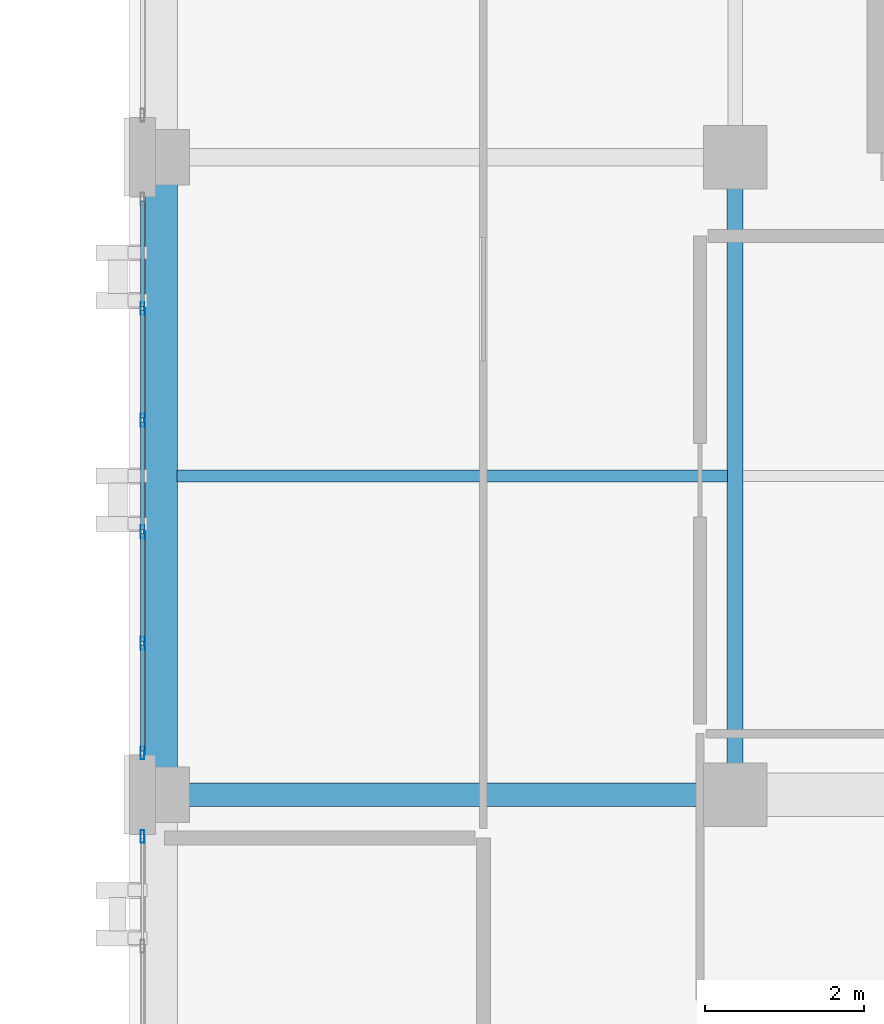
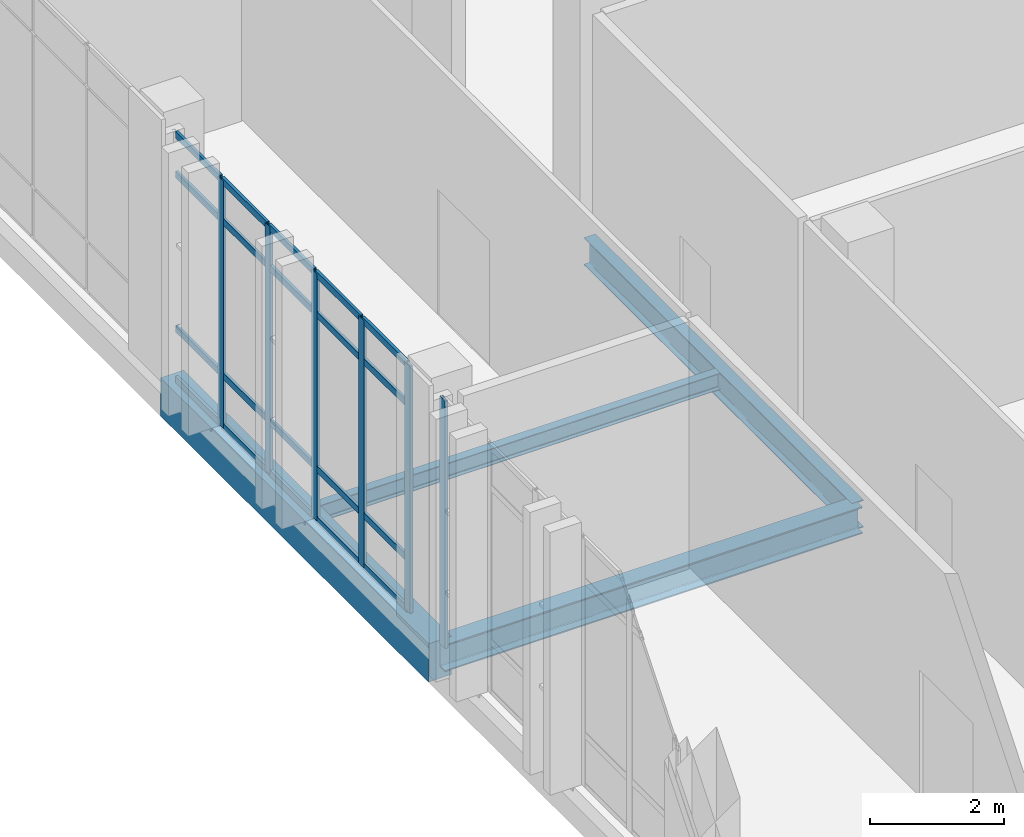
# One storey, part 61 of 189: 26 members, 4 beams, 2 elements without a shape of their own.
"""IFC4 building model written with IfcOpenShell, lengths in metres."""

import ifcopenshell
import ifcopenshell.guid

model = None  # the IFC model being written
_history = None  # IfcOwnerHistory: only IFC2X3 demands one
_inside = {}  # id of a spatial element -> (the spatial element, [elements in it])
_under = {}  # id of a project, library or spatial element -> (it, [spatial elements below it])
_declared = {}  # id of a project -> (the project, [libraries it declares])
_typed = {}  # id of a type object -> (the type object, [elements of that type])
_made_of = {}  # id of a material, layer set ... -> (it, [elements and type objects made of it])


def new_model(schema):
    """Start an empty IFC model of exactly this schema.

    Asked for "IFC4X3", IfcOpenShell would pick the latest addendum, in which some entities
    have other attributes; the version numbers below select the first issue.
    IFC2X3 requires an IfcOwnerHistory on every rooted entity: one is made here for all.
    """
    global model, _history
    if schema == "IFC4X3":
        model = ifcopenshell.file(schema_version=(4, 3, 0, 0))
    else:
        model = ifcopenshell.file(schema=schema)
    _inside.clear()
    _under.clear()
    _declared.clear()
    _typed.clear()
    _made_of.clear()
    _history = None
    if model.schema == "IFC2X3":
        org = make("IfcOrganization", Name="unknown")
        user = make(
            "IfcPersonAndOrganization",
            ThePerson=make("IfcPerson", FamilyName="unknown"),
            TheOrganization=org,
        )
        app = make(
            "IfcApplication",
            ApplicationDeveloper=org,
            Version="unknown",
            ApplicationFullName="unknown",
            ApplicationIdentifier="unknown",
        )
        _history = make(
            "IfcOwnerHistory",
            OwningUser=user,
            OwningApplication=app,
            ChangeAction="ADDED",
            CreationDate=0,
        )
    return model


def make(cls, **values):
    """One entity of the class cls with the attributes given. An attribute that is None is left unset."""
    return model.create_entity(
        cls, **{name: value for name, value in values.items() if value is not None}
    )


def rooted(cls, **values):
    """An entity with a GlobalId (a new one), such as an element, a storey or a relation."""
    return make(cls, GlobalId=ifcopenshell.guid.new(), OwnerHistory=_history, **values)


def si_unit(unit_type, name, prefix=None):
    """IfcSIUnit, for example si_unit("LENGTHUNIT", "METRE", prefix="MILLI")."""
    return make("IfcSIUnit", UnitType=unit_type, Prefix=prefix, Name=name)


def assignment(units):
    """IfcUnitAssignment: the units of a project."""
    return None if units is None else make("IfcUnitAssignment", Units=units)


def point(xyz):
    """IfcCartesianPoint."""
    return None if xyz is None else make("IfcCartesianPoint", Coordinates=xyz)


def direction(xyz):
    """IfcDirection."""
    return None if xyz is None else make("IfcDirection", DirectionRatios=xyz)


def frame(location, z_axis=None, x_axis=None):
    """IfcAxis2Placement3D, a coordinate frame: its origin and axes. An axis left out is left unset."""
    return make(
        "IfcAxis2Placement3D",
        Location=point(location),
        Axis=direction(z_axis),
        RefDirection=direction(x_axis),
    )


def frame_2d(location, x_axis=None):
    """IfcAxis2Placement2D, a coordinate frame in the plane: its origin and x axis."""
    return make(
        "IfcAxis2Placement2D", Location=point(location), RefDirection=direction(x_axis)
    )


def origin():
    """The frame at (0, 0, 0) with its axes left unset."""
    return frame((0.0, 0.0, 0.0))


def origin_2d():
    """The frame at (0, 0) in the plane with its x axis left unset."""
    return frame_2d((0.0, 0.0))


def place(relative_to, where):
    """IfcLocalPlacement: puts the frame where relative to a parent placement (None: the world)."""
    return make(
        "IfcLocalPlacement", PlacementRelTo=relative_to, RelativePlacement=where
    )


def context(
    kind, dimensions, precision=None, world=None, true_north=None, identifier=None
):
    """IfcGeometricRepresentationContext, for example the 3D "Model" context."""
    return make(
        "IfcGeometricRepresentationContext",
        ContextIdentifier=identifier,
        ContextType=kind,
        CoordinateSpaceDimension=dimensions,
        Precision=precision,
        WorldCoordinateSystem=world,
        TrueNorth=true_north,
    )


def subcontext(parent, identifier, kind, view, scale=None):
    """IfcGeometricRepresentationSubContext, for example "Body" below "Model"."""
    return make(
        "IfcGeometricRepresentationSubContext",
        ContextIdentifier=identifier,
        ContextType=kind,
        ParentContext=parent,
        TargetScale=scale,
        TargetView=view,
    )


def project(units=None, contexts=None):
    """IfcProject with its units and contexts."""
    return rooted(
        "IfcProject",
        Name="project",
        RepresentationContexts=contexts,
        UnitsInContext=assignment(units),
    )


def spatial(cls, under=None, at=None, **own):
    """A site, building, storey or space (cls), placed at a placement, below another one or the project."""
    s = rooted(cls, ObjectPlacement=at, **own)
    if under is not None:
        _under.setdefault(under.id(), (under, []))[1].append(s)
    return s


def profile(cls, at=None, kind="AREA", **sizes):
    """A parametric profile (cls). Its sizes go by their IFC names, for example OverallWidth=200.0."""
    return make(cls, ProfileType=kind, Position=at, **sizes)


def rectangle(**sizes):
    """IfcRectangleProfileDef."""
    return profile("IfcRectangleProfileDef", **sizes)


def hollow_rectangle(**sizes):
    """IfcRectangleHollowProfileDef."""
    return profile("IfcRectangleHollowProfileDef", **sizes)


def i_section(**sizes):
    """IfcIShapeProfileDef."""
    return profile("IfcIShapeProfileDef", **sizes)


def extrude(swept, where, along, depth):
    """IfcExtrudedAreaSolid: the profile swept, set in the frame where, extruded along a direction by depth."""
    return make(
        "IfcExtrudedAreaSolid",
        SweptArea=swept,
        Position=where,
        ExtrudedDirection=direction(along),
        Depth=depth,
    )


def shape(context_of_items, identifier, shape_type, items):
    """IfcShapeRepresentation: the items that make up one representation, for example the "Body"."""
    return make(
        "IfcShapeRepresentation",
        ContextOfItems=context_of_items,
        RepresentationIdentifier=identifier,
        RepresentationType=shape_type,
        Items=items,
    )


def material(Name=None, Category=None):
    """IfcMaterial."""
    return make("IfcMaterial", Name=Name, Category=Category)


def layer(
    of_material, thickness, ventilated=None, Name=None, Category=None, Priority=None
):
    """IfcMaterialLayer: one layer of a wall or slab, of a material (None: an air gap)."""
    return make(
        "IfcMaterialLayer",
        Material=of_material,
        LayerThickness=thickness,
        IsVentilated=ventilated,
        Name=Name,
        Category=Category,
        Priority=Priority,
    )


def layer_set(layers, Name=None):
    """IfcMaterialLayerSet."""
    return make("IfcMaterialLayerSet", MaterialLayers=layers, LayerSetName=Name)


def material_profile(
    of_material, cross_section, Name=None, Category=None, Priority=None
):
    """IfcMaterialProfile: a cross section and its material."""
    return make(
        "IfcMaterialProfile",
        Name=Name,
        Material=of_material,
        Profile=cross_section,
        Priority=Priority,
        Category=Category,
    )


def profile_set(profiles, Name=None, composite=None):
    """IfcMaterialProfileSet."""
    return make(
        "IfcMaterialProfileSet",
        Name=Name,
        MaterialProfiles=profiles,
        CompositeProfile=composite,
    )


def made_of(thing, what):
    """Note that an element or type object is made of a material, layer set ...; save() writes the relation."""
    if what is not None:
        _made_of.setdefault(what.id(), (what, []))[1].append(thing)
    return thing


def type_object(cls, material=None, **own):
    """A type object (cls), such as IfcWallType, which elements share."""
    return made_of(rooted(cls, **own), material)


def element(
    cls,
    number,
    at=None,
    inside=None,
    cuts=None,
    type_object=None,
    material=None,
    context=None,
    identifier="Body",
    shape_type=None,
    held_by="IfcProductDefinitionShape",
    body=None,
    shapes=None,
    **own,
):
    """One element of the class cls, such as IfcWall. Its Tag is "e" and its number.

    at: its placement. inside: the storey or other place that contains it. cuts: it is an
    opening in that element (IfcRelVoidsElement). A single representation is given by context,
    identifier, shape_type and body (its items); several are given by shapes. held_by: the class
    of the entity that holds the representations. save() writes the other relations.
    """
    e = rooted(cls, Tag="e%d" % number, ObjectPlacement=at, **own)
    if body is not None:
        shapes = [shape(context, identifier, shape_type, body)]
    if shapes is not None:
        e.Representation = make(held_by, Representations=shapes)
    if inside is not None:
        _inside.setdefault(inside.id(), (inside, []))[1].append(e)
    if cuts is not None:
        rooted(
            "IfcRelVoidsElement", RelatingBuildingElement=cuts, RelatedOpeningElement=e
        )
    if type_object is not None:
        _typed.setdefault(type_object.id(), (type_object, []))[1].append(e)
    return made_of(e, material)


def aggregate(whole, parts):
    """IfcRelAggregates: a whole, such as a stair, and the parts it consists of."""
    return rooted("IfcRelAggregates", RelatingObject=whole, RelatedObjects=parts)


def save(model, path):
    """Write the relations noted so far, then the file.

    IfcRelAggregates (storeys below a building ...), IfcRelContainedInSpatialStructure (elements
    in a storey), IfcRelDefinesByType, IfcRelAssociatesMaterial and IfcRelDeclares: one each for
    every whole, place, type object, material and project.
    """
    for whole, parts in _under.values():
        aggregate(whole, parts)
    for where, things in _inside.values():
        rooted(
            "IfcRelContainedInSpatialStructure",
            RelatedElements=things,
            RelatingStructure=where,
        )
    for kind, things in _typed.values():
        rooted("IfcRelDefinesByType", RelatedObjects=things, RelatingType=kind)
    for what, things in _made_of.values():
        rooted("IfcRelAssociatesMaterial", RelatedObjects=things, RelatingMaterial=what)
    for by, libraries in _declared.values():
        rooted("IfcRelDeclares", RelatingContext=by, RelatedDefinitions=libraries)
    model.write(path)


model = new_model("IFC4")

# Units and contexts
model_context = context("Model", 3, precision=1e-05, world=origin(), true_north=direction((0.0, 1.0)))
body_context = subcontext(model_context, "Body", "Model", "MODEL_VIEW")
ifc_project = project(units=[si_unit("LENGTHUNIT", "METRE"), si_unit("AREAUNIT", "SQUARE_METRE"), si_unit("VOLUMEUNIT", "CUBIC_METRE"), si_unit("PLANEANGLEUNIT", "RADIAN"), si_unit("MASSUNIT", "GRAM", prefix="KILO")], contexts=[model_context])

# Site, building, storey
site_placement = place(None, origin())
site = spatial("IfcSite", under=ifc_project, at=site_placement, CompositionType="ELEMENT")
building_placement = place(site_placement, origin())
building = spatial("IfcBuilding", under=site, at=building_placement, Name="Qalavern Law Courts", CompositionType="ELEMENT")
storey_placement = place(building_placement, frame((0.0, 0.0, 5.39990234375)))
storey = spatial("IfcBuildingStorey", under=building, at=storey_placement, Name="L01", CompositionType="ELEMENT", Elevation=5.39990234375)

# Curtain wall, members
ifc_material_1 = material(Name="Anodised aluminium and insulated glazing", Category="aluminium")
ifc_layer = layer(ifc_material_1, 0.172119140625)
ifc_layer_set = layer_set([ifc_layer], Name="Anodised aluminium and insulated glazing")
curtain_wall_type = type_object("IfcCurtainWallType", Name="ENV-CW-COURT", PredefinedType="USERDEFINED", material=ifc_layer_set)
curtain_wall_1_placement = place(storey_placement, origin())
curtain_wall_1 = element("IfcCurtainWall", 1, at=curtain_wall_1_placement, inside=storey, type_object=curtain_wall_type, Name="V4 unitised curtain wall L01 west 4", ObjectType="UNITISED CURTAIN WALL", PredefinedType="USERDEFINED")
ifc_material_2 = material(Name="Anodised aluminium", Category="aluminium")
ifc_material_profile_1 = material_profile(ifc_material_2, hollow_rectangle(XDim=0.048095703125, YDim=0.159912109375, WallThickness=0.00390625, at=origin_2d()), Name="ALU MULLION 48x160")
ifc_profile_set_1 = profile_set([ifc_material_profile_1], Name="Anodised aluminium")
member_type_1 = type_object("IfcMemberType", Name="ENV-CWM-48x160", PredefinedType="MULLION", material=ifc_profile_set_1)
member_1_placement = place(storey_placement, frame((84.362548828125, 63.5, 0.0), z_axis=(0.0, 0.0, 1.0), x_axis=(1.0, 0.0, 0.0)))
member_1 = element("IfcMember", 2, at=member_1_placement, type_object=member_type_1, Name="CW-03 mullion 2", PredefinedType="MULLION", context=body_context, shape_type="SweptSolid", body=[
    extrude(hollow_rectangle(XDim=0.048095703125, YDim=0.159912109375, WallThickness=0.00390625, at=origin_2d()), origin(), (0.0, 0.0, 1.0), 4.510009765625),
])
member_2_placement = place(storey_placement, frame((84.362548828125, 62.10009765625, 0.0), z_axis=(0.0, 0.0, 1.0), x_axis=(1.0, 0.0, 0.0)))
member_2 = element("IfcMember", 3, at=member_2_placement, type_object=member_type_1, Name="CW-03 mullion 3", PredefinedType="MULLION", context=body_context, shape_type="SweptSolid", body=[
    extrude(hollow_rectangle(XDim=0.048095703125, YDim=0.159912109375, WallThickness=0.00390625, at=origin_2d()), origin(), (0.0, 0.0, 1.0), 4.510009765625),
])
member_3_placement = place(storey_placement, frame((84.362548828125, 60.699951171875, 0.0), z_axis=(0.0, 0.0, 1.0), x_axis=(1.0, 0.0, 0.0)))
member_3 = element("IfcMember", 4, at=member_3_placement, type_object=member_type_1, Name="CW-03 mullion 4", PredefinedType="MULLION", context=body_context, shape_type="SweptSolid", body=[
    extrude(hollow_rectangle(XDim=0.048095703125, YDim=0.159912109375, WallThickness=0.00390625, at=origin_2d()), origin(), (0.0, 0.0, 1.0), 4.510009765625),
])
member_4_placement = place(storey_placement, frame((84.362548828125, 59.300048828125, 0.0), z_axis=(0.0, 0.0, 1.0), x_axis=(1.0, 0.0, 0.0)))
member_4 = element("IfcMember", 5, at=member_4_placement, type_object=member_type_1, Name="CW-03 mullion 5", PredefinedType="MULLION", context=body_context, shape_type="SweptSolid", body=[
    extrude(hollow_rectangle(XDim=0.048095703125, YDim=0.159912109375, WallThickness=0.00390625, at=origin_2d()), origin(), (0.0, 0.0, 1.0), 4.510009765625),
])
member_5_placement = place(storey_placement, frame((84.362548828125, 57.924072265625, 0.0), z_axis=(0.0, 0.0, 1.0), x_axis=(1.0, 0.0, 0.0)))
member_5 = element("IfcMember", 6, at=member_5_placement, type_object=member_type_1, Name="CW-03 mullion 6", PredefinedType="MULLION", context=body_context, shape_type="SweptSolid", body=[
    extrude(hollow_rectangle(XDim=0.048095703125, YDim=0.159912109375, WallThickness=0.00390625, at=origin_2d()), origin(), (0.0, 0.0, 1.0), 4.510009765625),
])

# Curtain wall, member
curtain_wall_2_placement = place(storey_placement, origin())
curtain_wall_2 = element("IfcCurtainWall", 7, at=curtain_wall_2_placement, inside=storey, type_object=curtain_wall_type, Name="V4 unitised curtain wall L01 west 5", ObjectType="UNITISED CURTAIN WALL", PredefinedType="USERDEFINED")
member_6_placement = place(storey_placement, frame((84.362548828125, 56.8759765625, 0.0), z_axis=(0.0, 0.0, 1.0), x_axis=(1.0, 0.0, 0.0)))
member_6 = element("IfcMember", 8, at=member_6_placement, type_object=member_type_1, Name="CW-03 mullion 1", PredefinedType="MULLION", context=body_context, shape_type="SweptSolid", body=[
    extrude(hollow_rectangle(XDim=0.048095703125, YDim=0.159912109375, WallThickness=0.00390625, at=origin_2d()), origin(), (0.0, 0.0, 1.0), 4.510009765625),
])
aggregate(curtain_wall_2, [member_6])

# Member
ifc_material_profile_2 = material_profile(ifc_material_2, hollow_rectangle(XDim=0.048095703125, YDim=0.1201171875, WallThickness=0.00390625, at=origin_2d()), Name="ALU TRANSOM 48x120")
ifc_profile_set_2 = profile_set([ifc_material_profile_2], Name="Anodised aluminium")
member_type_2 = type_object("IfcMemberType", Name="ENV-CWT-48x120", PredefinedType="USERDEFINED", material=ifc_profile_set_2)
member_7_placement = place(storey_placement, frame((84.362548828125, 64.85205078125, 0.024169921875), z_axis=(0.0, -1.0, 0.0), x_axis=(1.0, 0.0, 0.0)))
member_7 = element("IfcMember", 9, at=member_7_placement, type_object=member_type_2, Name="CW-03 transom 1.1", ObjectType="TRANSOM", PredefinedType="USERDEFINED", context=body_context, shape_type="SweptSolid", body=[
    extrude(hollow_rectangle(XDim=0.048095703125, YDim=0.1201171875, WallThickness=0.00390625, at=origin_2d()), origin(), (0.0, 0.0, 1.0), 1.328125),
])

member_8_placement = place(storey_placement, frame((84.362548828125, 64.85205078125, 0.9501953125), z_axis=(0.0, -1.0, 0.0), x_axis=(1.0, 0.0, 0.0)))
member_8 = element("IfcMember", 10, at=member_8_placement, type_object=member_type_2, Name="CW-03 transom 1.2", ObjectType="TRANSOM", PredefinedType="USERDEFINED", context=body_context, shape_type="SweptSolid", body=[
    extrude(hollow_rectangle(XDim=0.048095703125, YDim=0.1201171875, WallThickness=0.00390625, at=origin_2d()), origin(), (0.0, 0.0, 1.0), 1.328125),
])

member_9_placement = place(storey_placement, frame((84.362548828125, 64.85205078125, 3.760009765625), z_axis=(0.0, -1.0, 0.0), x_axis=(1.0, 0.0, 0.0)))
member_9 = element("IfcMember", 11, at=member_9_placement, type_object=member_type_2, Name="CW-03 transom 1.3", ObjectType="TRANSOM", PredefinedType="USERDEFINED", context=body_context, shape_type="SweptSolid", body=[
    extrude(hollow_rectangle(XDim=0.048095703125, YDim=0.1201171875, WallThickness=0.00390625, at=origin_2d()), origin(), (0.0, 0.0, 1.0), 1.328125),
])

member_10_placement = place(storey_placement, frame((84.362548828125, 64.85205078125, 4.486083984375), z_axis=(0.0, -1.0, 0.0), x_axis=(1.0, 0.0, 0.0)))
member_10 = element("IfcMember", 12, at=member_10_placement, type_object=member_type_2, Name="CW-03 transom 1.4", ObjectType="TRANSOM", PredefinedType="USERDEFINED", context=body_context, shape_type="SweptSolid", body=[
    extrude(hollow_rectangle(XDim=0.048095703125, YDim=0.1201171875, WallThickness=0.00390625, at=origin_2d()), origin(), (0.0, 0.0, 1.0), 1.328125),
])

member_11_placement = place(storey_placement, frame((84.362548828125, 63.47607421875, 0.024169921875), z_axis=(0.0, -1.0, 0.0), x_axis=(1.0, 0.0, 0.0)))
member_11 = element("IfcMember", 13, at=member_11_placement, type_object=member_type_2, Name="CW-03 transom 2.1", ObjectType="TRANSOM", PredefinedType="USERDEFINED", context=body_context, shape_type="SweptSolid", body=[
    extrude(hollow_rectangle(XDim=0.048095703125, YDim=0.1201171875, WallThickness=0.00390625, at=origin_2d()), origin(), (0.0, 0.0, 1.0), 1.35205078125),
])

member_12_placement = place(storey_placement, frame((84.362548828125, 63.47607421875, 0.9501953125), z_axis=(0.0, -1.0, 0.0), x_axis=(1.0, 0.0, 0.0)))
member_12 = element("IfcMember", 14, at=member_12_placement, type_object=member_type_2, Name="CW-03 transom 2.2", ObjectType="TRANSOM", PredefinedType="USERDEFINED", context=body_context, shape_type="SweptSolid", body=[
    extrude(hollow_rectangle(XDim=0.048095703125, YDim=0.1201171875, WallThickness=0.00390625, at=origin_2d()), origin(), (0.0, 0.0, 1.0), 1.35205078125),
])

member_13_placement = place(storey_placement, frame((84.362548828125, 63.47607421875, 3.760009765625), z_axis=(0.0, -1.0, 0.0), x_axis=(1.0, 0.0, 0.0)))
member_13 = element("IfcMember", 15, at=member_13_placement, type_object=member_type_2, Name="CW-03 transom 2.3", ObjectType="TRANSOM", PredefinedType="USERDEFINED", context=body_context, shape_type="SweptSolid", body=[
    extrude(hollow_rectangle(XDim=0.048095703125, YDim=0.1201171875, WallThickness=0.00390625, at=origin_2d()), origin(), (0.0, 0.0, 1.0), 1.35205078125),
])

member_14_placement = place(storey_placement, frame((84.362548828125, 63.47607421875, 4.486083984375), z_axis=(0.0, -1.0, 0.0), x_axis=(1.0, 0.0, 0.0)))
member_14 = element("IfcMember", 16, at=member_14_placement, type_object=member_type_2, Name="CW-03 transom 2.4", ObjectType="TRANSOM", PredefinedType="USERDEFINED", context=body_context, shape_type="SweptSolid", body=[
    extrude(hollow_rectangle(XDim=0.048095703125, YDim=0.1201171875, WallThickness=0.00390625, at=origin_2d()), origin(), (0.0, 0.0, 1.0), 1.35205078125),
])

member_15_placement = place(storey_placement, frame((84.362548828125, 62.075927734375, 0.024169921875), z_axis=(0.0, -1.0, 0.0), x_axis=(1.0, 0.0, 0.0)))
member_15 = element("IfcMember", 17, at=member_15_placement, type_object=member_type_2, Name="CW-03 transom 3.1", ObjectType="TRANSOM", PredefinedType="USERDEFINED", context=body_context, shape_type="SweptSolid", body=[
    extrude(hollow_rectangle(XDim=0.048095703125, YDim=0.1201171875, WallThickness=0.00390625, at=origin_2d()), origin(), (0.0, 0.0, 1.0), 1.351806640625),
])

member_16_placement = place(storey_placement, frame((84.362548828125, 62.075927734375, 0.9501953125), z_axis=(0.0, -1.0, 0.0), x_axis=(1.0, 0.0, 0.0)))
member_16 = element("IfcMember", 18, at=member_16_placement, type_object=member_type_2, Name="CW-03 transom 3.2", ObjectType="TRANSOM", PredefinedType="USERDEFINED", context=body_context, shape_type="SweptSolid", body=[
    extrude(hollow_rectangle(XDim=0.048095703125, YDim=0.1201171875, WallThickness=0.00390625, at=origin_2d()), origin(), (0.0, 0.0, 1.0), 1.351806640625),
])

member_17_placement = place(storey_placement, frame((84.362548828125, 62.075927734375, 3.760009765625), z_axis=(0.0, -1.0, 0.0), x_axis=(1.0, 0.0, 0.0)))
member_17 = element("IfcMember", 19, at=member_17_placement, type_object=member_type_2, Name="CW-03 transom 3.3", ObjectType="TRANSOM", PredefinedType="USERDEFINED", context=body_context, shape_type="SweptSolid", body=[
    extrude(hollow_rectangle(XDim=0.048095703125, YDim=0.1201171875, WallThickness=0.00390625, at=origin_2d()), origin(), (0.0, 0.0, 1.0), 1.351806640625),
])

member_18_placement = place(storey_placement, frame((84.362548828125, 62.075927734375, 4.486083984375), z_axis=(0.0, -1.0, 0.0), x_axis=(1.0, 0.0, 0.0)))
member_18 = element("IfcMember", 20, at=member_18_placement, type_object=member_type_2, Name="CW-03 transom 3.4", ObjectType="TRANSOM", PredefinedType="USERDEFINED", context=body_context, shape_type="SweptSolid", body=[
    extrude(hollow_rectangle(XDim=0.048095703125, YDim=0.1201171875, WallThickness=0.00390625, at=origin_2d()), origin(), (0.0, 0.0, 1.0), 1.351806640625),
])

member_19_placement = place(storey_placement, frame((84.362548828125, 60.676025390625, 0.024169921875), z_axis=(0.0, -1.0, 0.0), x_axis=(1.0, 0.0, 0.0)))
member_19 = element("IfcMember", 21, at=member_19_placement, type_object=member_type_2, Name="CW-03 transom 4.1", ObjectType="TRANSOM", PredefinedType="USERDEFINED", context=body_context, shape_type="SweptSolid", body=[
    extrude(hollow_rectangle(XDim=0.048095703125, YDim=0.1201171875, WallThickness=0.00390625, at=origin_2d()), origin(), (0.0, 0.0, 1.0), 1.35205078125),
])

member_20_placement = place(storey_placement, frame((84.362548828125, 60.676025390625, 0.9501953125), z_axis=(0.0, -1.0, 0.0), x_axis=(1.0, 0.0, 0.0)))
member_20 = element("IfcMember", 22, at=member_20_placement, type_object=member_type_2, Name="CW-03 transom 4.2", ObjectType="TRANSOM", PredefinedType="USERDEFINED", context=body_context, shape_type="SweptSolid", body=[
    extrude(hollow_rectangle(XDim=0.048095703125, YDim=0.1201171875, WallThickness=0.00390625, at=origin_2d()), origin(), (0.0, 0.0, 1.0), 1.35205078125),
])

member_21_placement = place(storey_placement, frame((84.362548828125, 60.676025390625, 3.760009765625), z_axis=(0.0, -1.0, 0.0), x_axis=(1.0, 0.0, 0.0)))
member_21 = element("IfcMember", 23, at=member_21_placement, type_object=member_type_2, Name="CW-03 transom 4.3", ObjectType="TRANSOM", PredefinedType="USERDEFINED", context=body_context, shape_type="SweptSolid", body=[
    extrude(hollow_rectangle(XDim=0.048095703125, YDim=0.1201171875, WallThickness=0.00390625, at=origin_2d()), origin(), (0.0, 0.0, 1.0), 1.35205078125),
])

member_22_placement = place(storey_placement, frame((84.362548828125, 60.676025390625, 4.486083984375), z_axis=(0.0, -1.0, 0.0), x_axis=(1.0, 0.0, 0.0)))
member_22 = element("IfcMember", 24, at=member_22_placement, type_object=member_type_2, Name="CW-03 transom 4.4", ObjectType="TRANSOM", PredefinedType="USERDEFINED", context=body_context, shape_type="SweptSolid", body=[
    extrude(hollow_rectangle(XDim=0.048095703125, YDim=0.1201171875, WallThickness=0.00390625, at=origin_2d()), origin(), (0.0, 0.0, 1.0), 1.35205078125),
])

member_23_placement = place(storey_placement, frame((84.362548828125, 59.27587890625, 0.024169921875), z_axis=(0.0, -1.0, 0.0), x_axis=(1.0, 0.0, 0.0)))
member_23 = element("IfcMember", 25, at=member_23_placement, type_object=member_type_2, Name="CW-03 transom 5.1", ObjectType="TRANSOM", PredefinedType="USERDEFINED", context=body_context, shape_type="SweptSolid", body=[
    extrude(hollow_rectangle(XDim=0.048095703125, YDim=0.1201171875, WallThickness=0.00390625, at=origin_2d()), origin(), (0.0, 0.0, 1.0), 1.327880859375),
])

member_24_placement = place(storey_placement, frame((84.362548828125, 59.27587890625, 0.9501953125), z_axis=(0.0, -1.0, 0.0), x_axis=(1.0, 0.0, 0.0)))
member_24 = element("IfcMember", 26, at=member_24_placement, type_object=member_type_2, Name="CW-03 transom 5.2", ObjectType="TRANSOM", PredefinedType="USERDEFINED", context=body_context, shape_type="SweptSolid", body=[
    extrude(hollow_rectangle(XDim=0.048095703125, YDim=0.1201171875, WallThickness=0.00390625, at=origin_2d()), origin(), (0.0, 0.0, 1.0), 1.327880859375),
])

member_25_placement = place(storey_placement, frame((84.362548828125, 59.27587890625, 3.760009765625), z_axis=(0.0, -1.0, 0.0), x_axis=(1.0, 0.0, 0.0)))
member_25 = element("IfcMember", 27, at=member_25_placement, type_object=member_type_2, Name="CW-03 transom 5.3", ObjectType="TRANSOM", PredefinedType="USERDEFINED", context=body_context, shape_type="SweptSolid", body=[
    extrude(hollow_rectangle(XDim=0.048095703125, YDim=0.1201171875, WallThickness=0.00390625, at=origin_2d()), origin(), (0.0, 0.0, 1.0), 1.327880859375),
])

member_26_placement = place(storey_placement, frame((84.362548828125, 59.27587890625, 4.486083984375), z_axis=(0.0, -1.0, 0.0), x_axis=(1.0, 0.0, 0.0)))
member_26 = element("IfcMember", 28, at=member_26_placement, type_object=member_type_2, Name="CW-03 transom 5.4", ObjectType="TRANSOM", PredefinedType="USERDEFINED", context=body_context, shape_type="SweptSolid", body=[
    extrude(hollow_rectangle(XDim=0.048095703125, YDim=0.1201171875, WallThickness=0.00390625, at=origin_2d()), origin(), (0.0, 0.0, 1.0), 1.327880859375),
])

aggregate(curtain_wall_1, [member_1, member_2, member_3, member_4, member_5, member_7, member_8, member_9, member_10, member_11, member_12, member_13, member_14, member_15, member_16, member_17, member_18, member_19, member_20, member_21, member_22, member_23, member_24, member_25, member_26])

# Beams
ifc_material_3 = material(Name="Steel S355", Category="steel")
ifc_material_profile_3 = material_profile(ifc_material_3, i_section(OverallWidth=0.300048828125, OverallDepth=0.489990234375, WebThickness=0.011962890625, FlangeThickness=0.02294921875, FilletRadius=0.027099609375, at=origin_2d()), Name="HEA 500")
ifc_profile_set_3 = profile_set([ifc_material_profile_3], Name="Steel S355")
beam_type_1 = type_object("IfcBeamType", Name="STR-BM-HEA500", PredefinedType="BEAM", material=ifc_profile_set_3)
beam_1_placement = place(storey_placement, frame((84.60009765625, 57.39990234375, -0.544921875), z_axis=(1.0, 0.0, 0.0), x_axis=(0.0, 1.0, 0.0)))
element("IfcBeam", 29, at=beam_1_placement, inside=storey, type_object=beam_type_1, Name="V4 X-beam 3-1 L01", PredefinedType="BEAM", context=body_context, shape_type="SweptSolid", body=[
    extrude(i_section(OverallWidth=0.300048828125, OverallDepth=0.489990234375, WebThickness=0.011962890625, FlangeThickness=0.02294921875, FilletRadius=0.027099609375, at=origin_2d()), origin(), (0.0, 0.0, 1.0), 7.199951171875),
])
ifc_material_profile_4 = material_profile(ifc_material_3, i_section(OverallWidth=0.199951171875, OverallDepth=0.5, WebThickness=0.01025390625, FlangeThickness=0.01611328125, FilletRadius=0.02099609375, at=origin_2d()), Name="IPE 500")
ifc_profile_set_4 = profile_set([ifc_material_profile_4], Name="Steel S355")
beam_type_2 = type_object("IfcBeamType", Name="STR-BM-IPE500", PredefinedType="BEAM", material=ifc_profile_set_4)
beam_2_placement = place(storey_placement, frame((91.800048828125, 57.39990234375, -0.5498046875), z_axis=(0.0, 1.0, 0.0), x_axis=(-1.0, 0.0, 0.0)))
element("IfcBeam", 30, at=beam_2_placement, inside=storey, type_object=beam_type_2, Name="V4 Y-beam 2-2 L01", PredefinedType="BEAM", context=body_context, shape_type="SweptSolid", body=[
    extrude(i_section(OverallWidth=0.199951171875, OverallDepth=0.5, WebThickness=0.01025390625, FlangeThickness=0.01611328125, FilletRadius=0.02099609375, at=origin_2d()), origin(), (0.0, 0.0, 1.0), 8.0),
])
ifc_material_profile_5 = material_profile(ifc_material_3, i_section(OverallWidth=0.14990234375, OverallDepth=0.300048828125, WebThickness=0.007080078125, FlangeThickness=0.0107421875, FilletRadius=0.014892578125, at=origin_2d()), Name="IPE 300")
ifc_profile_set_5 = profile_set([ifc_material_profile_5], Name="Steel S355")
beam_type_3 = type_object("IfcBeamType", Name="STR-JST-IPE300", PredefinedType="JOIST", material=ifc_profile_set_5)
beam_3_placement = place(storey_placement, frame((84.798095703125, 61.39990234375, -0.449951171875), z_axis=(1.0, 0.0, 0.0), x_axis=(0.0, 1.0, 0.0)))
element("IfcBeam", 31, at=beam_3_placement, inside=storey, type_object=beam_type_3, Name="V4 secondary joist 1.3.1 L01", PredefinedType="JOIST", context=body_context, shape_type="SweptSolid", body=[
    extrude(i_section(OverallWidth=0.14990234375, OverallDepth=0.300048828125, WebThickness=0.007080078125, FlangeThickness=0.0107421875, FilletRadius=0.014892578125, at=origin_2d()), origin(), (0.0, 0.0, 1.0), 6.90380859375),
])
ifc_material_4 = material(Name="Concrete C40/50", Category="concrete")
ifc_material_profile_6 = material_profile(ifc_material_4, rectangle(XDim=0.39990234375, YDim=0.699951171875, at=origin_2d()), Name="RC 400x700")
ifc_profile_set_6 = profile_set([ifc_material_profile_6], Name="Concrete C40/50")
beam_type_4 = type_object("IfcBeamType", Name="STR-SP-RC400x700", PredefinedType="SPANDREL", material=ifc_profile_set_6)
beam_4_placement = place(storey_placement, frame((84.60009765625, 57.39990234375, -0.64990234375), z_axis=(0.0, 1.0, 0.0), x_axis=(-1.0, 0.0, 0.0)))
element("IfcBeam", 32, at=beam_4_placement, inside=storey, type_object=beam_type_4, Name="V4 Y-beam 1-3 L01", PredefinedType="SPANDREL", context=body_context, shape_type="SweptSolid", body=[
    extrude(rectangle(XDim=0.39990234375, YDim=0.699951171875, at=origin_2d()), origin(), (0.0, 0.0, 1.0), 8.0),
])

save(model, "model.ifc")
